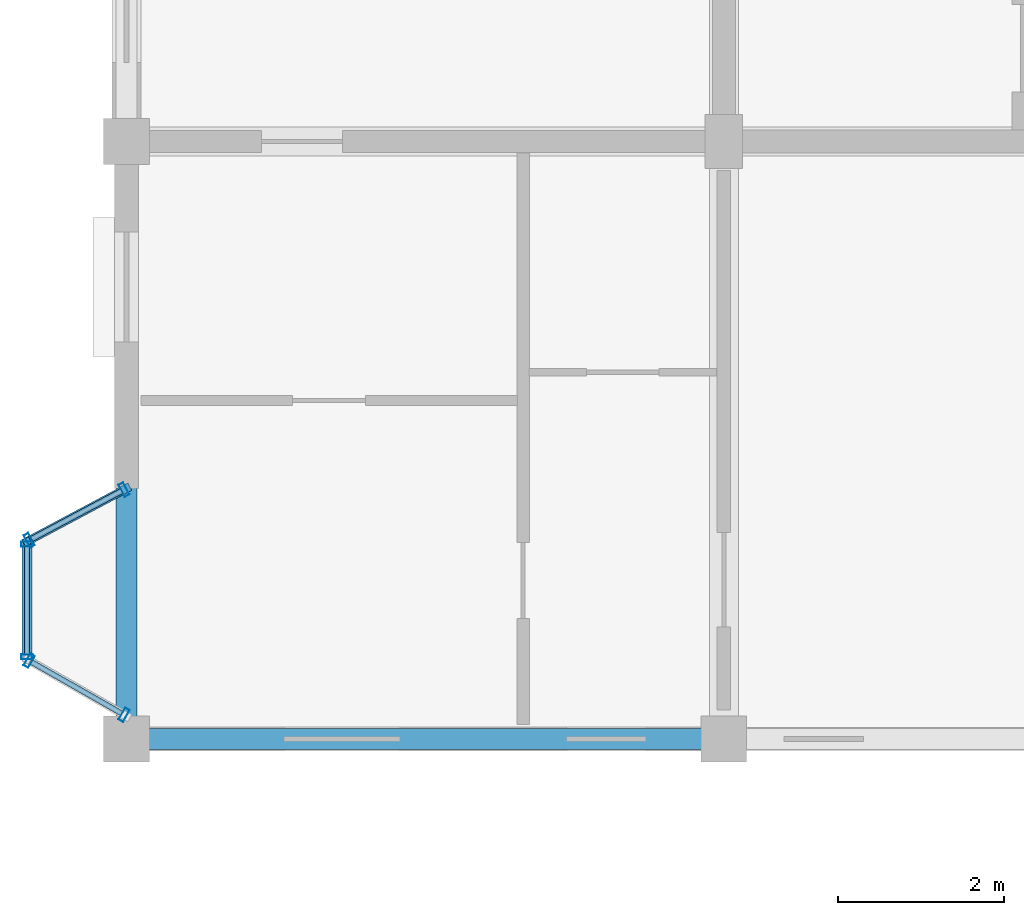
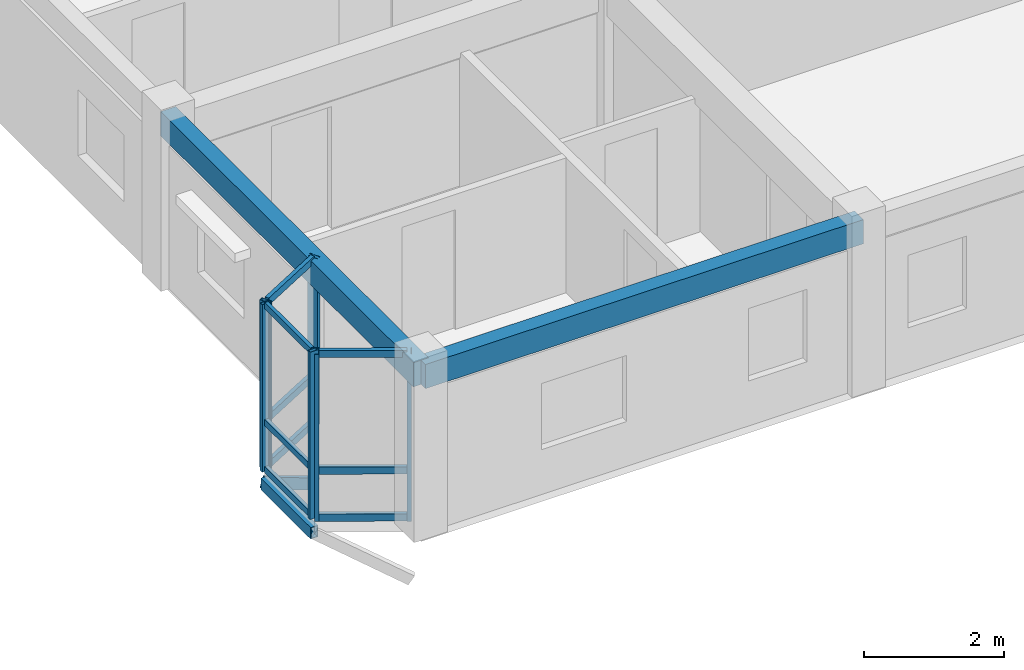
# One storey, part 13 of 77: 17 members, 2 beams, 3 elements without a shape of their own.
"""IFC4 building model written with IfcOpenShell, lengths in metres."""

from ifc_helpers import new_model, si_unit, direction, frame, origin, origin_2d, place, context, subcontext, project, spatial, rectangle, hollow_rectangle, extrude, material, layer, layer_set, material_profile, profile_set, type_object, element, aggregate, save


model = new_model("IFC4")

# Units and contexts
model_context = context("Model", 3, precision=1e-05, world=origin(), true_north=direction((0.0, 1.0)))
body_context = subcontext(model_context, "Body", "Model", "MODEL_VIEW")
ifc_project = project(units=[si_unit("LENGTHUNIT", "METRE"), si_unit("AREAUNIT", "SQUARE_METRE"), si_unit("VOLUMEUNIT", "CUBIC_METRE"), si_unit("PLANEANGLEUNIT", "RADIAN"), si_unit("MASSUNIT", "GRAM", prefix="KILO"), si_unit("THERMODYNAMICTEMPERATUREUNIT", "KELVIN"), si_unit("POWERUNIT", "WATT")], contexts=[model_context])

# Site, building, storey
site_placement = place(None, origin())
site = spatial("IfcSite", under=ifc_project, at=site_placement, CompositionType="ELEMENT")
building_placement = place(site_placement, origin())
building = spatial("IfcBuilding", under=site, at=building_placement, Name="Tavuni Mirador Residences", CompositionType="ELEMENT")
storey_placement = place(building_placement, frame((0.0, 0.0, 10.800048828125)))
storey = spatial("IfcBuildingStorey", under=building, at=storey_placement, Name="L03", CompositionType="ELEMENT", Elevation=10.800048828125)

# Beams
ifc_material_1 = material(Name="Precast concrete C40/50", Category="concrete")
ifc_material_profile_1 = material_profile(ifc_material_1, rectangle(XDim=0.25, YDim=0.419921875, at=origin_2d()), Name="PC 250x420", Category="concrete")
ifc_profile_set_1 = profile_set([ifc_material_profile_1], Name="Precast concrete C40/50")
beam_type = type_object("IfcBeamType", Name="BT-SP420", PredefinedType="SPANDREL", material=ifc_profile_set_1)
for number, where, z_axis, x_axis, name in (
    (1, (3.60009765625, 64.800048828125, 2.699951171875), (1.0, 0.0, 0.0), (0.0, 1.0, 0.0), "BMX-BLK-B-L03-00-00"),
    (2, (3.60009765625, 64.800048828125, 2.699951171875), (0.0, 1.0, 0.0), (-1.0, 0.0, 0.0), "BMY-BLK-B-L03-00-00"),
):
    element("IfcBeam", number, at=place(storey_placement, frame(where, z_axis=z_axis, x_axis=x_axis)), inside=storey, type_object=beam_type, Name=name, PredefinedType="SPANDREL", context=body_context, shape_type="SweptSolid", body=[
        extrude(rectangle(XDim=0.25, YDim=0.419921875, at=origin_2d()), origin(), (0.0, 0.0, 1.0), 7.199951171875),
    ])

# Curtain wall, members
ifc_material_2 = material(Name="Anodised aluminium", Category="aluminium")
ifc_layer_1 = layer(ifc_material_2, 0.175048828125, Name="Anodised aluminium", Category="aluminium")
ifc_layer_set_1 = layer_set([ifc_layer_1], Name="Anodised aluminium")
curtain_wall_type_1 = type_object("IfcCurtainWallType", Name="CWT-MIR-C", PredefinedType="NOTDEFINED", material=ifc_layer_set_1)
curtain_wall_1_placement = place(storey_placement, origin())
curtain_wall_1 = element("IfcCurtainWall", 3, at=curtain_wall_1_placement, inside=storey, type_object=curtain_wall_type_1, Name="CW-MIR-B-W1-L03-MF", PredefinedType="NOTDEFINED")
ifc_material_profile_2 = material_profile(ifc_material_2, hollow_rectangle(XDim=0.06005859375, YDim=0.139892578125, WallThickness=0.00390625, at=origin_2d()), Name="ALU 60x140x4.0", Category="aluminium")
ifc_profile_set_2 = profile_set([ifc_material_profile_2], Name="Anodised aluminium")
member_type_1 = type_object("IfcMemberType", Name="CWM-140", PredefinedType="MULLION", material=ifc_profile_set_2)
member_1_placement = place(storey_placement, frame((2.39990234375, 67.14990234375, 0.0), z_axis=(0.0, 0.0, 1.0), x_axis=(0.0, -1.0, 0.0)))
member_1 = element("IfcMember", 4, at=member_1_placement, type_object=member_type_1, Name="CW-03 mullion 1", PredefinedType="MULLION", context=body_context, shape_type="SweptSolid", body=[
    extrude(hollow_rectangle(XDim=0.06005859375, YDim=0.139892578125, WallThickness=0.00390625, at=origin_2d()), origin(), (0.0, 0.0, 1.0), 2.909912109375),
])
member_2_placement = place(storey_placement, frame((2.39990234375, 65.7900390625, 0.0), z_axis=(0.0, 0.0, 1.0), x_axis=(0.0, -1.0, 0.0)))
member_2 = element("IfcMember", 5, at=member_2_placement, type_object=member_type_1, Name="CW-03 mullion 2", PredefinedType="MULLION", context=body_context, shape_type="SweptSolid", body=[
    extrude(hollow_rectangle(XDim=0.06005859375, YDim=0.139892578125, WallThickness=0.00390625, at=origin_2d()), origin(), (0.0, 0.0, 1.0), 2.909912109375),
])

ifc_layer_2 = layer(ifc_material_2, 0.14990234375, Name="Anodised aluminium", Category="aluminium")
ifc_layer_set_2 = layer_set([ifc_layer_2], Name="Anodised aluminium")
curtain_wall_type_2 = type_object("IfcCurtainWallType", Name="CWT-MIR-B", PredefinedType="NOTDEFINED", material=ifc_layer_set_2)
curtain_wall_2_placement = place(storey_placement, origin())
curtain_wall_2 = element("IfcCurtainWall", 6, at=curtain_wall_2_placement, inside=storey, type_object=curtain_wall_type_2, Name="CW-MIR-B-W1-L03-M1", PredefinedType="NOTDEFINED")
ifc_material_profile_3 = material_profile(ifc_material_2, hollow_rectangle(XDim=0.06494140625, YDim=0.1650390625, WallThickness=0.00439453125, at=origin_2d()), Name="ALU 65x165x4.5", Category="aluminium")
ifc_profile_set_3 = profile_set([ifc_material_profile_3], Name="Anodised aluminium")
member_type_2 = type_object("IfcMemberType", Name="CWM-165", PredefinedType="MULLION", material=ifc_profile_set_3)
member_3_placement = place(storey_placement, frame((3.5712890625, 67.8046875, 0.0), z_axis=(0.0, 0.0, 1.0), x_axis=(-0.882352941175, -0.470588235296, 0.0)))
member_3 = element("IfcMember", 7, at=member_3_placement, type_object=member_type_2, Name="CW-02 mullion 1", PredefinedType="MULLION", context=body_context, shape_type="SweptSolid", body=[
    extrude(hollow_rectangle(XDim=0.06494140625, YDim=0.1650390625, WallThickness=0.00439453125, at=origin_2d()), origin(), (0.0, 0.0, 1.0), 2.909912109375),
])
member_4_placement = place(storey_placement, frame((2.4287109375, 67.1953125, 0.0), z_axis=(0.0, 0.0, 1.0), x_axis=(-0.882352941175, -0.470588235296, 0.0)))
member_4 = element("IfcMember", 8, at=member_4_placement, type_object=member_type_2, Name="CW-02 mullion 2", PredefinedType="MULLION", context=body_context, shape_type="SweptSolid", body=[
    extrude(hollow_rectangle(XDim=0.06494140625, YDim=0.1650390625, WallThickness=0.00439453125, at=origin_2d()), origin(), (0.0, 0.0, 1.0), 2.909912109375),
])

ifc_layer_3 = layer(ifc_material_2, 0.159912109375, Name="Anodised aluminium", Category="aluminium")
ifc_layer_set_3 = layer_set([ifc_layer_3], Name="Anodised aluminium")
curtain_wall_type_3 = type_object("IfcCurtainWallType", Name="CWT-MIR-D", PredefinedType="NOTDEFINED", material=ifc_layer_set_3)
curtain_wall_3_placement = place(storey_placement, origin())
curtain_wall_3 = element("IfcCurtainWall", 9, at=curtain_wall_3_placement, inside=storey, type_object=curtain_wall_type_3, Name="CW-MIR-B-W1-L03-M2", PredefinedType="NOTDEFINED")
member_5_placement = place(storey_placement, frame((2.42822265625, 65.743896484375, 0.0), z_axis=(0.0, 0.0, 1.0), x_axis=(0.868465738194, -0.495749192217, 0.0)))
member_5 = element("IfcMember", 10, at=member_5_placement, type_object=member_type_2, Name="CW-04 mullion 1", PredefinedType="MULLION", context=body_context, shape_type="SweptSolid", body=[
    extrude(hollow_rectangle(XDim=0.06494140625, YDim=0.1650390625, WallThickness=0.00439453125, at=origin_2d()), origin(), (0.0, 0.0, 1.0), 2.909912109375),
])
member_6_placement = place(storey_placement, frame((3.57177734375, 65.091064453125, 0.0), z_axis=(0.0, 0.0, 1.0), x_axis=(0.868465738194, -0.495749192217, 0.0)))
member_6 = element("IfcMember", 11, at=member_6_placement, type_object=member_type_2, Name="CW-04 mullion 2", PredefinedType="MULLION", context=body_context, shape_type="SweptSolid", body=[
    extrude(hollow_rectangle(XDim=0.06494140625, YDim=0.1650390625, WallThickness=0.00439453125, at=origin_2d()), origin(), (0.0, 0.0, 1.0), 2.909912109375),
])

# Member
ifc_material_profile_4 = material_profile(ifc_material_2, hollow_rectangle(XDim=0.06005859375, YDim=0.110107421875, WallThickness=0.00390625, at=origin_2d()), Name="ALU 60x110x4.0", Category="aluminium")
ifc_profile_set_4 = profile_set([ifc_material_profile_4], Name="Anodised aluminium")
member_type_3 = type_object("IfcMemberType", Name="CWT-110", PredefinedType="USERDEFINED", material=ifc_profile_set_4)
member_7_placement = place(storey_placement, frame((2.39990234375, 67.1201171875, 0.030029296875), z_axis=(0.0, -1.0, 0.0), x_axis=(1.0, 0.0, 0.0)))
member_7 = element("IfcMember", 12, at=member_7_placement, type_object=member_type_3, Name="CW-03 transom 1.1", ObjectType="TRANSOM", PredefinedType="USERDEFINED", context=body_context, shape_type="SweptSolid", body=[
    extrude(hollow_rectangle(XDim=0.06005859375, YDim=0.110107421875, WallThickness=0.00390625, at=origin_2d()), origin(), (0.0, 0.0, 1.0), 1.300048828125),
])

member_8_placement = place(storey_placement, frame((2.39990234375, 67.1201171875, 0.849853515625), z_axis=(0.0, -1.0, 0.0), x_axis=(1.0, 0.0, 0.0)))
member_8 = element("IfcMember", 13, at=member_8_placement, type_object=member_type_3, Name="CW-03 transom 1.2", ObjectType="TRANSOM", PredefinedType="USERDEFINED", context=body_context, shape_type="SweptSolid", body=[
    extrude(hollow_rectangle(XDim=0.06005859375, YDim=0.110107421875, WallThickness=0.00390625, at=origin_2d()), origin(), (0.0, 0.0, 1.0), 1.300048828125),
])

member_9_placement = place(storey_placement, frame((2.39990234375, 67.1201171875, 2.8798828125), z_axis=(0.0, -1.0, 0.0), x_axis=(1.0, 0.0, 0.0)))
member_9 = element("IfcMember", 14, at=member_9_placement, type_object=member_type_3, Name="CW-03 transom 1.3", ObjectType="TRANSOM", PredefinedType="USERDEFINED", context=body_context, shape_type="SweptSolid", body=[
    extrude(hollow_rectangle(XDim=0.06005859375, YDim=0.110107421875, WallThickness=0.00390625, at=origin_2d()), origin(), (0.0, 0.0, 1.0), 1.300048828125),
])

aggregate(curtain_wall_1, [member_1, member_2, member_7, member_8, member_9])

ifc_material_profile_5 = material_profile(ifc_material_2, hollow_rectangle(XDim=0.06494140625, YDim=0.125, WallThickness=0.00439453125, at=origin_2d()), Name="ALU 65x125x4.5", Category="aluminium")
ifc_profile_set_5 = profile_set([ifc_material_profile_5], Name="Anodised aluminium")
member_type_4 = type_object("IfcMemberType", Name="CWT-125", PredefinedType="USERDEFINED", material=ifc_profile_set_5)
member_10_placement = place(storey_placement, frame((3.542724609375, 67.789306640625, 0.032470703125), z_axis=(-0.882451819392, -0.470402791714, 0.0), x_axis=(0.470402791714, -0.882451819392, 0.0)))
member_10 = element("IfcMember", 15, at=member_10_placement, type_object=member_type_4, Name="CW-02 transom 1.1", ObjectType="TRANSOM", PredefinedType="USERDEFINED", context=body_context, shape_type="SweptSolid", body=[
    extrude(hollow_rectangle(XDim=0.06494140625, YDim=0.125, WallThickness=0.00439453125, at=origin_2d()), origin(), (0.0, 0.0, 1.0), 1.22998046875),
])

member_11_placement = place(storey_placement, frame((3.542724609375, 67.789306640625, 0.849853515625), z_axis=(-0.882451819392, -0.470402791714, 0.0), x_axis=(0.470402791714, -0.882451819392, 0.0)))
member_11 = element("IfcMember", 16, at=member_11_placement, type_object=member_type_4, Name="CW-02 transom 1.2", ObjectType="TRANSOM", PredefinedType="USERDEFINED", context=body_context, shape_type="SweptSolid", body=[
    extrude(hollow_rectangle(XDim=0.06494140625, YDim=0.125, WallThickness=0.00439453125, at=origin_2d()), origin(), (0.0, 0.0, 1.0), 1.22998046875),
])

member_12_placement = place(storey_placement, frame((3.542724609375, 67.789306640625, 2.87744140625), z_axis=(-0.882451819392, -0.470402791714, 0.0), x_axis=(0.470402791714, -0.882451819392, 0.0)))
member_12 = element("IfcMember", 17, at=member_12_placement, type_object=member_type_4, Name="CW-02 transom 1.3", ObjectType="TRANSOM", PredefinedType="USERDEFINED", context=body_context, shape_type="SweptSolid", body=[
    extrude(hollow_rectangle(XDim=0.06494140625, YDim=0.125, WallThickness=0.00439453125, at=origin_2d()), origin(), (0.0, 0.0, 1.0), 1.22998046875),
])

aggregate(curtain_wall_2, [member_3, member_4, member_10, member_11, member_12])

member_13_placement = place(storey_placement, frame((2.45654296875, 65.727783203125, 0.032470703125), z_axis=(0.868411144788, -0.495844818071, 0.0), x_axis=(0.495844818071, 0.868411144788, 0.0)))
member_13 = element("IfcMember", 18, at=member_13_placement, type_object=member_type_4, Name="CW-04 transom 1.1", ObjectType="TRANSOM", PredefinedType="USERDEFINED", context=body_context, shape_type="SweptSolid", body=[
    extrude(hollow_rectangle(XDim=0.06494140625, YDim=0.125, WallThickness=0.00439453125, at=origin_2d()), origin(), (0.0, 0.0, 1.0), 1.251708984375),
])

member_14_placement = place(storey_placement, frame((2.45654296875, 65.727783203125, 0.849853515625), z_axis=(0.868411144788, -0.495844818071, 0.0), x_axis=(0.495844818071, 0.868411144788, 0.0)))
member_14 = element("IfcMember", 19, at=member_14_placement, type_object=member_type_4, Name="CW-04 transom 1.2", ObjectType="TRANSOM", PredefinedType="USERDEFINED", context=body_context, shape_type="SweptSolid", body=[
    extrude(hollow_rectangle(XDim=0.06494140625, YDim=0.125, WallThickness=0.00439453125, at=origin_2d()), origin(), (0.0, 0.0, 1.0), 1.251708984375),
])

member_15_placement = place(storey_placement, frame((2.45654296875, 65.727783203125, 2.87744140625), z_axis=(0.868411144788, -0.495844818071, 0.0), x_axis=(0.495844818071, 0.868411144788, 0.0)))
member_15 = element("IfcMember", 20, at=member_15_placement, type_object=member_type_4, Name="CW-04 transom 1.3", ObjectType="TRANSOM", PredefinedType="USERDEFINED", context=body_context, shape_type="SweptSolid", body=[
    extrude(hollow_rectangle(XDim=0.06494140625, YDim=0.125, WallThickness=0.00439453125, at=origin_2d()), origin(), (0.0, 0.0, 1.0), 1.251708984375),
])

aggregate(curtain_wall_3, [member_5, member_6, member_13, member_14, member_15])

# Members
ifc_material_3 = material(Name="Structural steel S355", Category="steel")
ifc_material_profile_6 = material_profile(ifc_material_3, hollow_rectangle(XDim=0.10009765625, YDim=0.179931640625, WallThickness=0.008056640625, at=origin_2d()), Name="RHS 180x100x8.0", Category="steel")
ifc_profile_set_6 = profile_set([ifc_material_profile_6], Name="Structural steel S355")
member_type_5 = type_object("IfcMemberType", Name="MT-BR-RHS180", PredefinedType="BRACE", material=ifc_profile_set_6)
member_16_placement = place(storey_placement, frame((3.60009765625, 67.820068359375, -1.050048828125), z_axis=(-0.758094559112, -0.404337659478, 0.511667564511), x_axis=(0.470606866739, -0.882343004153, 0.0)))
element("IfcMember", 21, at=member_16_placement, inside=storey, type_object=member_type_5, Name="MBRK-MIR-B-W1-L03-2", PredefinedType="BRACE", context=body_context, shape_type="SweptSolid", body=[
    extrude(hollow_rectangle(XDim=0.10009765625, YDim=0.179931640625, WallThickness=0.008056640625, at=origin_2d()), origin(), (0.0, 0.0, 1.0), 1.583251953125),
])
ifc_material_profile_7 = material_profile(ifc_material_3, hollow_rectangle(XDim=0.1201171875, YDim=0.199951171875, WallThickness=0.010009765625, at=origin_2d()), Name="RHS 200x120x10.0", Category="steel")
ifc_profile_set_7 = profile_set([ifc_material_profile_7], Name="Structural steel S355")
member_type_6 = type_object("IfcMemberType", Name="MT-ST-RHS200", PredefinedType="STRUT", material=ifc_profile_set_7)
member_17_placement = place(storey_placement, frame((2.39990234375, 65.760009765625, -0.239990234375), z_axis=(0.0, 1.0, 0.0), x_axis=(-1.0, 0.0, 0.0)))
element("IfcMember", 22, at=member_17_placement, inside=storey, type_object=member_type_6, Name="MRIM-MIR-B-W1-L03", PredefinedType="STRUT", context=body_context, shape_type="SweptSolid", body=[
    extrude(hollow_rectangle(XDim=0.1201171875, YDim=0.199951171875, WallThickness=0.010009765625, at=origin_2d()), origin(), (0.0, 0.0, 1.0), 1.419921875),
])

save(model, "model.ifc")
